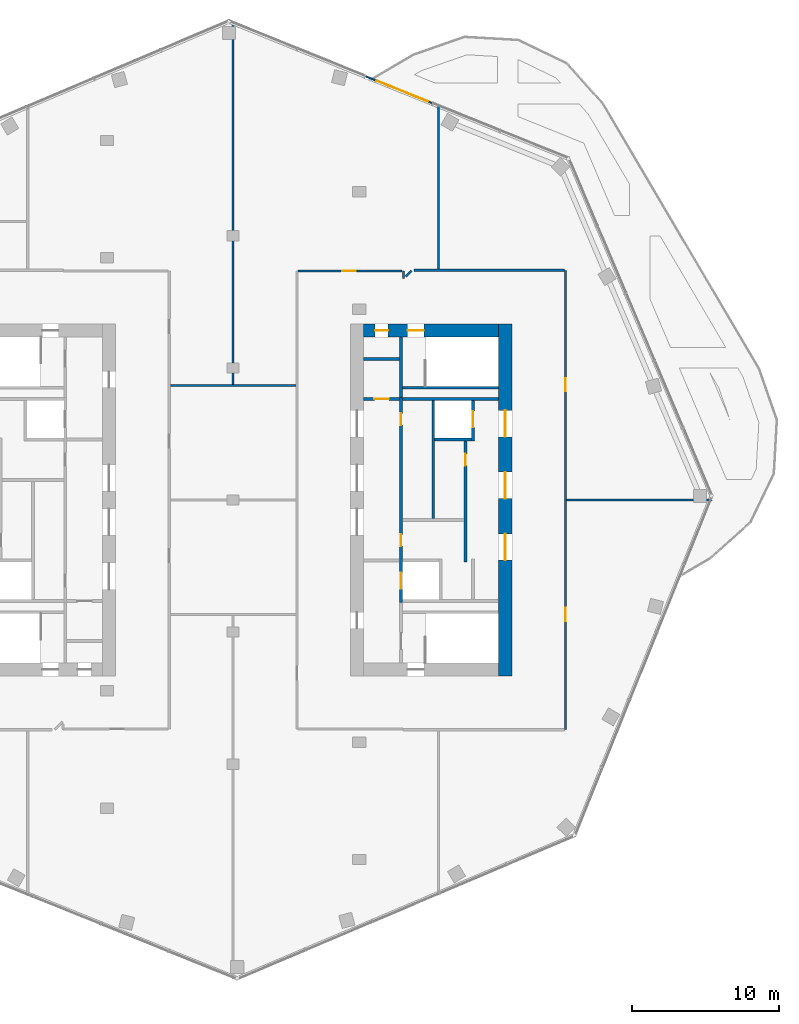
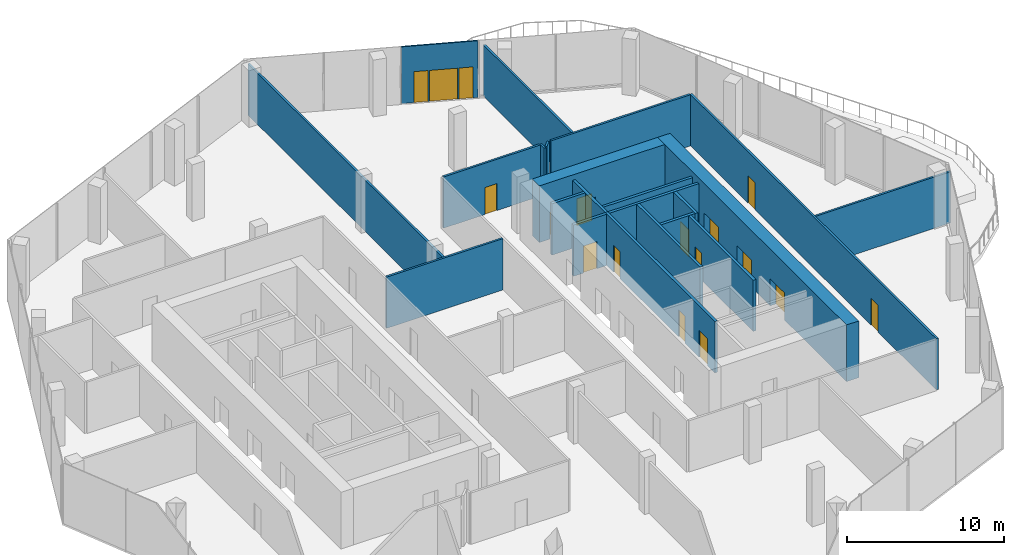
# One storey, part 14 of 15: 22 walls, 15 doors, 2 windows, 17 openings.
"""IFC4 building model written with IfcOpenShell, lengths in metres."""

from ifc_helpers import new_model, si_unit, direction, frame, frame_2d, origin, place, context, subcontext, project, spatial, rectangle, extrude, material, layer, layer_set, type_object, element, fill, save


model = new_model("IFC4")

# Units and contexts
model_context = context("Model", 3, precision=1e-05, world=origin(), true_north=direction((0.0, 1.0)))
body_context = subcontext(model_context, "Body", "Model", "MODEL_VIEW")
ifc_project = project(units=[si_unit("LENGTHUNIT", "METRE"), si_unit("AREAUNIT", "SQUARE_METRE"), si_unit("VOLUMEUNIT", "CUBIC_METRE"), si_unit("PLANEANGLEUNIT", "RADIAN"), si_unit("MASSUNIT", "GRAM", prefix="KILO")], contexts=[model_context])

# Site, building, storey
site_placement = place(None, origin())
site = spatial("IfcSite", under=ifc_project, at=site_placement, CompositionType="ELEMENT")
building_placement = place(site_placement, origin())
building = spatial("IfcBuilding", under=site, at=building_placement, Name="Orlundy Tower", CompositionType="ELEMENT")
storey_placement = place(building_placement, frame((0.0, 0.0, 299.89990234375)))
storey = spatial("IfcBuildingStorey", under=building, at=storey_placement, Name="L80", CompositionType="ELEMENT", Elevation=299.89990234375)

# Wall, openings, doors
ifc_material_1 = material(Name="Concrete C50/60", Category="concrete")
ifc_layer_1 = layer(ifc_material_1, 0.89990234375)
ifc_layer_set_1 = layer_set([ifc_layer_1], Name="CORE WALL 900 C50/60")
wall_type_1 = type_object("IfcWallType", Name="CORE WALL 900 C50/60", PredefinedType="SHEAR", material=ifc_layer_set_1)
wall_1_placement = place(storey_placement, frame((8.89990234375, 11.550048828125, 0.0), z_axis=(0.0, 0.0, 1.0), x_axis=(1.0, 0.0, 0.0)))
wall_1 = element("IfcWall", 1, at=wall_1_placement, inside=storey, type_object=wall_type_1, Name="Core wall E-N L80", PredefinedType="SHEAR", context=body_context, shape_type="SweptSolid", body=[
    extrude(rectangle(XDim=9.2001953125, YDim=0.89990234375, at=frame_2d((4.60009765625, 0.0))), origin(), (0.0, 0.0, 1.0), 4.400146484375),
])
opening_1_placement = place(wall_1_placement, frame((3.0, 0.0, 0.0)))
opening_1 = element("IfcOpeningElement", 2, at=opening_1_placement, cuts=wall_1, Name="Opening 62063", PredefinedType="OPENING", context=body_context, shape_type="SweptSolid", body=[
    extrude(rectangle(XDim=1.10009765625, YDim=2.10009765625, at=frame_2d((0.550048828125, 1.050048828125))), frame((0.0, 0.4599609375, 0.0), z_axis=(0.0, -1.0, 0.0), x_axis=(1.0, 0.0, 0.0)), (0.0, 0.0, 1.0), 0.919921875),
])
opening_2_placement = place(wall_1_placement, frame((0.77001953125, 0.0, 0.0)))
opening_2 = element("IfcOpeningElement", 3, at=opening_2_placement, cuts=wall_1, Name="Opening 62065", PredefinedType="OPENING", context=body_context, shape_type="SweptSolid", body=[
    extrude(rectangle(XDim=0.89990234375, YDim=2.10009765625, at=frame_2d((0.449951171875, 1.050048828125))), frame((0.0, 0.4599609375, 0.0), z_axis=(0.0, -1.0, 0.0), x_axis=(1.0, 0.0, 0.0)), (0.0, 0.0, 1.0), 0.919921875),
])
ifc_material_2 = material(Name="Timber door set", Category="wood")
door_type_1 = type_object("IfcDoorType", Name="Room Door 900x2100", OperationType="SINGLE_SWING_LEFT", PredefinedType="DOOR", material=ifc_material_2)
door_1_placement = place(opening_2_placement, origin())
door_1 = element("IfcDoor", 4, at=door_1_placement, inside=storey, type_object=door_type_1, Name="Store door 62065", OperationType="SINGLE_SWING_LEFT", OverallHeight=2.10009765625, OverallWidth=0.89990234375, PredefinedType="DOOR", context=body_context, shape_type="SweptSolid", body=[
    extrude(rectangle(XDim=0.89990234375, YDim=2.10009765625, at=frame_2d((0.449951171875, 1.050048828125))), frame((0.0, 0.02490234375, 0.0), z_axis=(0.0, -1.0, 0.0), x_axis=(1.0, 0.0, 0.0)), (0.0, 0.0, 1.0), 0.050048828125),
])
fill(opening_2, door_1)
ifc_material_3 = material(Name="Steel door set", Category="steel")
door_type_2 = type_object("IfcDoorType", Name="Stair Door 1100x2100", OperationType="SINGLE_SWING_LEFT", PredefinedType="DOOR", material=ifc_material_3)
door_2_placement = place(opening_1_placement, origin())
door_2 = element("IfcDoor", 5, at=door_2_placement, inside=storey, type_object=door_type_2, Name="Stair door 62063", OperationType="SINGLE_SWING_LEFT", OverallHeight=2.10009765625, OverallWidth=1.10009765625, PredefinedType="DOOR", context=body_context, shape_type="SweptSolid", body=[
    extrude(rectangle(XDim=1.10009765625, YDim=2.10009765625, at=frame_2d((0.550048828125, 1.050048828125))), frame((0.0, 0.02490234375, 0.0), z_axis=(0.0, -1.0, 0.0), x_axis=(1.0, 0.0, 0.0)), (0.0, 0.0, 1.0), 0.050048828125),
])
fill(opening_1, door_2)

wall_2_placement = place(storey_placement, frame((18.550048828125, -12.0, 0.0), z_axis=(0.0, 0.0, 1.0), x_axis=(0.0, 1.0, 0.0)))
wall_2 = element("IfcWall", 6, at=wall_2_placement, inside=storey, type_object=wall_type_1, Name="Core wall E-E L80", PredefinedType="SHEAR", context=body_context, shape_type="SweptSolid", body=[
    extrude(rectangle(XDim=24.0, YDim=0.89990234375, at=frame_2d((12.0, 0.0))), origin(), (0.0, 0.0, 1.0), 4.400146484375),
])
opening_3_placement = place(wall_2_placement, frame((16.300048828125, 0.0, 0.0)))
opening_3 = element("IfcOpeningElement", 7, at=opening_3_placement, cuts=wall_2, Name="Opening 62056", PredefinedType="OPENING", context=body_context, shape_type="SweptSolid", body=[
    extrude(rectangle(XDim=1.800048828125, YDim=2.10009765625, at=frame_2d((0.89990234375, 1.050048828125))), frame((0.0, 0.4599609375, 0.0), z_axis=(0.0, -1.0, 0.0), x_axis=(1.0, 0.0, 0.0)), (0.0, 0.0, 1.0), 0.919921875),
])
opening_4_placement = place(wall_2_placement, frame((12.10009765625, 0.0, 0.0)))
opening_4 = element("IfcOpeningElement", 8, at=opening_4_placement, cuts=wall_2, Name="Opening 62057", PredefinedType="OPENING", context=body_context, shape_type="SweptSolid", body=[
    extrude(rectangle(XDim=1.800048828125, YDim=2.10009765625, at=frame_2d((0.89990234375, 1.050048828125))), frame((0.0, 0.4599609375, 0.0), z_axis=(0.0, -1.0, 0.0), x_axis=(1.0, 0.0, 0.0)), (0.0, 0.0, 1.0), 0.919921875),
])
opening_5_placement = place(wall_2_placement, frame((7.89990234375, 0.0, 0.0)))
opening_5 = element("IfcOpeningElement", 9, at=opening_5_placement, cuts=wall_2, Name="Opening 62058", PredefinedType="OPENING", context=body_context, shape_type="SweptSolid", body=[
    extrude(rectangle(XDim=1.800048828125, YDim=2.10009765625, at=frame_2d((0.89990234375, 1.050048828125))), frame((0.0, 0.4599609375, 0.0), z_axis=(0.0, -1.0, 0.0), x_axis=(1.0, 0.0, 0.0)), (0.0, 0.0, 1.0), 0.919921875),
])
ifc_material_4 = material(Name="Timber door set", Category="wood")
door_type_3 = type_object("IfcDoorType", Name="Lobby Door 1800x2100", OperationType="DOUBLE_DOOR_DOUBLE_SWING", PredefinedType="DOOR", material=ifc_material_4)
door_3_placement = place(opening_3_placement, origin())
door_3 = element("IfcDoor", 10, at=door_3_placement, inside=storey, type_object=door_type_3, Name="Lift lobby door 62056", OperationType="SINGLE_SWING_RIGHT", OverallHeight=2.10009765625, OverallWidth=1.800048828125, PredefinedType="DOOR", context=body_context, shape_type="SweptSolid", body=[
    extrude(rectangle(XDim=1.800048828125, YDim=2.10009765625, at=frame_2d((0.89990234375, 1.050048828125))), frame((0.0, 0.02490234375, 0.0), z_axis=(0.0, -1.0, 0.0), x_axis=(1.0, 0.0, 0.0)), (0.0, 0.0, 1.0), 0.050048828125),
])
fill(opening_3, door_3)
door_4_placement = place(opening_4_placement, origin())
door_4 = element("IfcDoor", 11, at=door_4_placement, inside=storey, type_object=door_type_3, Name="Lift lobby door 62057", OperationType="SINGLE_SWING_RIGHT", OverallHeight=2.10009765625, OverallWidth=1.800048828125, PredefinedType="DOOR", context=body_context, shape_type="SweptSolid", body=[
    extrude(rectangle(XDim=1.800048828125, YDim=2.10009765625, at=frame_2d((0.89990234375, 1.050048828125))), frame((0.0, 0.02490234375, 0.0), z_axis=(0.0, -1.0, 0.0), x_axis=(1.0, 0.0, 0.0)), (0.0, 0.0, 1.0), 0.050048828125),
])
fill(opening_4, door_4)
door_5_placement = place(opening_5_placement, origin())
door_5 = element("IfcDoor", 12, at=door_5_placement, inside=storey, type_object=door_type_3, Name="Lift lobby door 62058", OperationType="SINGLE_SWING_LEFT", OverallHeight=2.10009765625, OverallWidth=1.800048828125, PredefinedType="DOOR", context=body_context, shape_type="SweptSolid", body=[
    extrude(rectangle(XDim=1.800048828125, YDim=2.10009765625, at=frame_2d((0.89990234375, 1.050048828125))), frame((0.0, 0.02490234375, 0.0), z_axis=(0.0, -1.0, 0.0), x_axis=(1.0, 0.0, 0.0)), (0.0, 0.0, 1.0), 0.050048828125),
])
fill(opening_5, door_5)

# Walls
ifc_material_5 = material(Name="Blockwork shaft wall", Category="masonry")
ifc_layer_2 = layer(ifc_material_5, 0.14990234375)
ifc_layer_set_2 = layer_set([ifc_layer_2], Name="Floor shaft wall 150")
wall_type_2 = type_object("IfcWallType", Name="Floor shaft wall 150", PredefinedType="PARTITIONING", material=ifc_layer_set_2)
wall_3_placement = place(storey_placement, frame((22.72607421875, 0.0, 0.0), z_axis=(0.0, 0.0, 1.0), x_axis=(1.0, 0.0, 0.0)))
element("IfcWall", 13, at=wall_3_placement, inside=storey, type_object=wall_type_2, Name="wall-int-L80-009", PredefinedType="PARTITIONING", context=body_context, shape_type="SweptSolid", body=[
    extrude(rectangle(XDim=9.90087890625, YDim=0.14990234375, at=frame_2d((4.950439453125, 0.0))), origin(), (0.0, 0.0, 1.0), 3.97998046875),
])
wall_4_placement = place(storey_placement, frame((-4.27392578125, 7.799072265625, 0.0), z_axis=(0.0, 0.0, 1.0), x_axis=(1.0, 0.0, 0.0)))
element("IfcWall", 14, at=wall_4_placement, inside=storey, type_object=wall_type_2, Name="wall-int-L80-011", PredefinedType="PARTITIONING", context=body_context, shape_type="SweptSolid", body=[
    extrude(rectangle(XDim=8.548828125, YDim=0.14990234375, at=frame_2d((4.2744140625, 0.0))), origin(), (0.0, 0.0, 1.0), 3.97998046875),
])

# Wall, opening, door
wall_5_placement = place(storey_placement, frame((4.425048828125, 15.60107421875, 0.0), z_axis=(0.0, 0.0, 1.0), x_axis=(1.0, 0.0, 0.0)))
wall_5 = element("IfcWall", 15, at=wall_5_placement, inside=storey, type_object=wall_type_2, Name="wall-int-L80-014", PredefinedType="PARTITIONING", context=body_context, shape_type="SweptSolid", body=[
    extrude(rectangle(XDim=7.099853515625, YDim=0.14990234375, at=frame_2d((3.5498046875, 0.0))), origin(), (0.0, 0.0, 1.0), 3.97998046875),
])
opening_6_placement = place(wall_5_placement, frame((3.02490234375, 0.0, 0.0)))
opening_6 = element("IfcOpeningElement", 16, at=opening_6_placement, cuts=wall_5, Name="Opening 62106", PredefinedType="OPENING", context=body_context, shape_type="SweptSolid", body=[
    extrude(rectangle(XDim=0.89990234375, YDim=2.10009765625, at=frame_2d((0.449951171875, 1.050048828125))), frame((0.0, 0.0849609375, 0.0), z_axis=(0.0, -1.0, 0.0), x_axis=(1.0, 0.0, 0.0)), (0.0, 0.0, 1.0), 0.169921875),
])
ifc_material_6 = material(Name="Timber door leaf", Category="wood")
door_type_4 = type_object("IfcDoorType", Name="Floor door single 900 FD60", OperationType="NOTDEFINED", PredefinedType="DOOR", material=ifc_material_6)
door_6_placement = place(opening_6_placement, origin())
door_6 = element("IfcDoor", 17, at=door_6_placement, inside=storey, type_object=door_type_4, Name="Door 62106", OperationType="SINGLE_SWING_LEFT", OverallHeight=2.10009765625, OverallWidth=0.89990234375, PredefinedType="DOOR", context=body_context, shape_type="SweptSolid", body=[
    extrude(rectangle(XDim=0.89990234375, YDim=2.10009765625, at=frame_2d((0.449951171875, 1.050048828125))), frame((0.0, 0.02490234375, 0.0), z_axis=(0.0, -1.0, 0.0), x_axis=(1.0, 0.0, 0.0)), (0.0, 0.0, 1.0), 0.050048828125),
])
fill(opening_6, door_6)

# Walls
wall_6_placement = place(storey_placement, frame((12.341064453125, 15.65087890625, 0.0), z_axis=(0.0, 0.0, 1.0), x_axis=(1.0, 0.0, 0.0)))
element("IfcWall", 18, at=wall_6_placement, inside=storey, type_object=wall_type_2, Name="wall-int-L80-016", PredefinedType="PARTITIONING", context=body_context, shape_type="SweptSolid", body=[
    extrude(rectangle(XDim=10.23388671875, YDim=0.14990234375, at=frame_2d((5.116943359375, 0.0))), origin(), (0.0, 0.0, 1.0), 3.97998046875),
])
wall_7_placement = place(storey_placement, frame((11.75, 15.22802734375, 0.0), z_axis=(0.0, 0.0, 1.0), x_axis=(0.707106781187, 0.707106781187, 0.0)))
element("IfcWall", 19, at=wall_7_placement, inside=storey, type_object=wall_type_2, Name="wall-int-L80-019", PredefinedType="PARTITIONING", context=body_context, shape_type="SweptSolid", body=[
    extrude(rectangle(XDim=0.570068359375, YDim=0.14990234375, at=frame_2d((0.28515625, 0.0))), origin(), (0.0, 0.0, 1.0), 3.97998046875),
])

# Wall, openings, doors
wall_8_placement = place(storey_placement, frame((22.65087890625, 15.64990234375, 0.0), z_axis=(0.0, 0.0, 1.0), x_axis=(0.0, -1.0, 0.0)))
wall_8 = element("IfcWall", 20, at=wall_8_placement, inside=storey, type_object=wall_type_2, Name="wall-int-L80-020", PredefinedType="PARTITIONING", context=body_context, shape_type="SweptSolid", body=[
    extrude(rectangle(XDim=31.2998046875, YDim=0.14990234375, at=frame_2d((15.64990234375, 0.0))), origin(), (0.0, 0.0, 1.0), 3.97998046875),
])
opening_7_placement = place(wall_8_placement, frame((23.0, 0.0, 0.0)))
opening_7 = element("IfcOpeningElement", 21, at=opening_7_placement, cuts=wall_8, Name="Opening 62104", PredefinedType="OPENING", context=body_context, shape_type="SweptSolid", body=[
    extrude(rectangle(XDim=0.89990234375, YDim=2.10009765625, at=frame_2d((0.449951171875, 1.050048828125))), frame((0.0, 0.0849609375, 0.0), z_axis=(0.0, -1.0, 0.0), x_axis=(1.0, 0.0, 0.0)), (0.0, 0.0, 1.0), 0.169921875),
])
opening_8_placement = place(wall_8_placement, frame((7.35009765625, 0.0, 0.0)))
opening_8 = element("IfcOpeningElement", 22, at=opening_8_placement, cuts=wall_8, Name="Opening 62105", PredefinedType="OPENING", context=body_context, shape_type="SweptSolid", body=[
    extrude(rectangle(XDim=0.89990234375, YDim=2.10009765625, at=frame_2d((0.449951171875, 1.050048828125))), frame((0.0, 0.0849609375, 0.0), z_axis=(0.0, -1.0, 0.0), x_axis=(1.0, 0.0, 0.0)), (0.0, 0.0, 1.0), 0.169921875),
])
door_7_placement = place(opening_7_placement, origin())
door_7 = element("IfcDoor", 23, at=door_7_placement, inside=storey, type_object=door_type_4, Name="Door 62104", OperationType="SINGLE_SWING_RIGHT", OverallHeight=2.10009765625, OverallWidth=0.89990234375, PredefinedType="DOOR", context=body_context, shape_type="SweptSolid", body=[
    extrude(rectangle(XDim=0.89990234375, YDim=2.10009765625, at=frame_2d((0.449951171875, 1.050048828125))), frame((0.0, 0.02490234375, 0.0), z_axis=(0.0, -1.0, 0.0), x_axis=(1.0, 0.0, 0.0)), (0.0, 0.0, 1.0), 0.050048828125),
])
fill(opening_7, door_7)
door_8_placement = place(opening_8_placement, origin())
door_8 = element("IfcDoor", 24, at=door_8_placement, inside=storey, type_object=door_type_4, Name="Door 62105", OperationType="SINGLE_SWING_LEFT", OverallHeight=2.10009765625, OverallWidth=0.89990234375, PredefinedType="DOOR", context=body_context, shape_type="SweptSolid", body=[
    extrude(rectangle(XDim=0.89990234375, YDim=2.10009765625, at=frame_2d((0.449951171875, 1.050048828125))), frame((0.0, 0.02490234375, 0.0), z_axis=(0.0, -1.0, 0.0), x_axis=(1.0, 0.0, 0.0)), (0.0, 0.0, 1.0), 0.050048828125),
])
fill(opening_8, door_8)

# Walls
wall_9_placement = place(storey_placement, frame((14.0, 15.72607421875, 0.0), z_axis=(0.0, 0.0, 1.0), x_axis=(0.0, 1.0, 0.0)))
element("IfcWall", 25, at=wall_9_placement, inside=storey, type_object=wall_type_2, Name="wall-int-L80-022", PredefinedType="PARTITIONING", context=body_context, shape_type="SweptSolid", body=[
    extrude(rectangle(XDim=11.243896484375, YDim=0.14990234375, at=frame_2d((5.6220703125, 0.0))), origin(), (0.0, 0.0, 1.0), 3.97998046875),
])
wall_10_placement = place(storey_placement, frame((11.60107421875, 15.092041015625, 0.0), z_axis=(0.0, 0.0, 1.0), x_axis=(0.0, 1.0, 0.0)))
element("IfcWall", 26, at=wall_10_placement, inside=storey, type_object=wall_type_2, Name="wall-int-L80-023", PredefinedType="PARTITIONING", context=body_context, shape_type="SweptSolid", body=[
    extrude(rectangle(XDim=0.508056640625, YDim=0.14990234375, at=frame_2d((0.25390625, 0.0))), origin(), (0.0, 0.0, 1.0), 3.97998046875),
])
wall_11_placement = place(storey_placement, frame((0.0, 7.8740234375, 0.0), z_axis=(0.0, 0.0, 1.0), x_axis=(0.0, 1.0, 0.0)))
element("IfcWall", 27, at=wall_11_placement, inside=storey, type_object=wall_type_2, Name="wall-int-L80-026", PredefinedType="PARTITIONING", context=body_context, shape_type="SweptSolid", body=[
    extrude(rectangle(XDim=24.7529296875, YDim=0.14990234375, at=frame_2d((12.37646484375, 0.0))), origin(), (0.0, 0.0, 1.0), 3.97998046875),
])

# Wall, openings, windows, door
ifc_material_7 = material(Name="Aluminium bronze and tinted glass", Category="aluminium")
ifc_layer_3 = layer(ifc_material_7, 0.10009765625)
ifc_layer_set_3 = layer_set([ifc_layer_3], Name="Glazed door screen")
wall_type_3 = type_object("IfcWallType", Name="Glazed door screen", PredefinedType="STANDARD", material=ifc_layer_set_3)
wall_12_placement = place(storey_placement, frame((9.018310546875, 28.874755859375, 0.0), z_axis=(0.0, 0.0, 1.0), x_axis=(0.927195684574, -0.37457731179, 0.0)))
wall_12 = element("IfcWall", 28, at=wall_12_placement, inside=storey, type_object=wall_type_3, Name="Glazed door screen", PredefinedType="STANDARD", context=body_context, shape_type="SweptSolid", body=[
    extrude(rectangle(XDim=4.910400390625, YDim=0.10009765625, at=frame_2d((2.455078125, 0.0))), origin(), (0.0, 0.0, 1.0), 4.400146484375),
])
opening_9_placement = place(wall_12_placement, frame((1.80078125, 0.0, 0.0)))
opening_9 = element("IfcOpeningElement", 29, at=opening_9_placement, cuts=wall_12, Name="Opening 62940", PredefinedType="OPENING", context=body_context, shape_type="SweptSolid", body=[
    extrude(rectangle(XDim=1.800048828125, YDim=2.39990234375, at=frame_2d((0.89990234375, 1.199951171875))), frame((0.0, 0.06005859375, 0.0), z_axis=(0.0, -1.0, 0.0), x_axis=(1.0, 0.0, 0.0)), (0.0, 0.0, 1.0), 0.1201171875),
])
opening_10_placement = place(wall_12_placement, frame((0.80078125, 0.0, 0.0)))
opening_10 = element("IfcOpeningElement", 30, at=opening_10_placement, cuts=wall_12, Name="Opening W02", PredefinedType="OPENING", context=body_context, shape_type="SweptSolid", body=[
    extrude(rectangle(XDim=0.89990234375, YDim=2.39990234375, at=frame_2d((0.449951171875, 1.199951171875))), frame((0.0, 0.06005859375, 0.0), z_axis=(0.0, -1.0, 0.0), x_axis=(1.0, 0.0, 0.0)), (0.0, 0.0, 1.0), 0.1201171875),
])
opening_11_placement = place(wall_12_placement, frame((3.70068359375, 0.0, 0.0)))
opening_11 = element("IfcOpeningElement", 31, at=opening_11_placement, cuts=wall_12, Name="Opening W02", PredefinedType="OPENING", context=body_context, shape_type="SweptSolid", body=[
    extrude(rectangle(XDim=0.89990234375, YDim=2.39990234375, at=frame_2d((0.449951171875, 1.199951171875))), frame((0.0, 0.06005859375, 0.0), z_axis=(0.0, -1.0, 0.0), x_axis=(1.0, 0.0, 0.0)), (0.0, 0.0, 1.0), 0.1201171875),
])
ifc_material_8 = material(Name="Tinted glass in bronze aluminium frame", Category="aluminium")
window_type = type_object("IfcWindowType", Name="SL2 sidelight 900x2400", PartitioningType="SINGLE_PANEL", PredefinedType="WINDOW", material=ifc_material_8)
window_1_placement = place(opening_10_placement, origin())
window_1 = element("IfcWindow", 32, at=window_1_placement, inside=storey, type_object=window_type, Name="Window W02 L80", OverallHeight=2.39990234375, OverallWidth=0.89990234375, PartitioningType="SINGLE_PANEL", PredefinedType="WINDOW", context=body_context, shape_type="SweptSolid", body=[
    extrude(rectangle(XDim=0.89990234375, YDim=2.39990234375, at=frame_2d((0.449951171875, 1.199951171875))), frame((0.0, 0.030029296875, 0.0), z_axis=(0.0, -1.0, 0.0), x_axis=(1.0, 0.0, 0.0)), (0.0, 0.0, 1.0), 0.06005859375),
])
fill(opening_10, window_1)
window_2_placement = place(opening_11_placement, origin())
window_2 = element("IfcWindow", 33, at=window_2_placement, inside=storey, type_object=window_type, Name="Window W02 L80", OverallHeight=2.39990234375, OverallWidth=0.89990234375, PartitioningType="SINGLE_PANEL", PredefinedType="WINDOW", context=body_context, shape_type="SweptSolid", body=[
    extrude(rectangle(XDim=0.89990234375, YDim=2.39990234375, at=frame_2d((0.449951171875, 1.199951171875))), frame((0.0, 0.030029296875, 0.0), z_axis=(0.0, -1.0, 0.0), x_axis=(1.0, 0.0, 0.0)), (0.0, 0.0, 1.0), 0.06005859375),
])
fill(opening_11, window_2)
ifc_material_9 = material(Name="Aluminium bronze and tinted glass", Category="aluminium")
door_type_5 = type_object("IfcDoorType", Name="TD3 terrace sliding door 1800x2400", OperationType="DOUBLE_DOOR_SLIDING", PredefinedType="DOOR", material=ifc_material_9)
door_9_placement = place(opening_9_placement, origin())
door_9 = element("IfcDoor", 34, at=door_9_placement, inside=storey, type_object=door_type_5, Name="Door 62940", OperationType="DOUBLE_DOOR_SLIDING", OverallHeight=2.39990234375, OverallWidth=1.800048828125, PredefinedType="DOOR", context=body_context, shape_type="SweptSolid", body=[
    extrude(rectangle(XDim=1.800048828125, YDim=2.39990234375, at=frame_2d((0.89990234375, 1.199951171875))), frame((0.0, 0.02490234375, 0.0), z_axis=(0.0, -1.0, 0.0), x_axis=(1.0, 0.0, 0.0)), (0.0, 0.0, 1.0), 0.050048828125),
])
fill(opening_9, door_9)

# Walls
ifc_material_10 = material(Name="Concrete C40/50", Category="concrete")
ifc_layer_4 = layer(ifc_material_10, 0.199951171875)
ifc_layer_set_4 = layer_set([ifc_layer_4], Name="Load-bearing Shaft Wall 200")
wall_type_4 = type_object("IfcWallType", Name="Load-bearing Shaft Wall 200", PredefinedType="SOLIDWALL", material=ifc_layer_set_4)
wall_13_placement = place(storey_placement, frame((11.43994140625, 11.10009765625, 0.0), z_axis=(0.0, 0.0, 1.0), x_axis=(0.0, -1.0, 0.0)))
element("IfcWall", 35, at=wall_13_placement, inside=storey, type_object=wall_type_4, Name="Shaft wall E62-stair-end-s", PredefinedType="SOLIDWALL", context=body_context, shape_type="SweptSolid", body=[
    extrude(rectangle(XDim=4.125, YDim=0.199951171875, at=frame_2d((2.0625, 0.0))), origin(), (0.0, 0.0, 1.0), 3.97998046875),
])
wall_14_placement = place(storey_placement, frame((11.5400390625, 7.64990234375, 0.0), z_axis=(0.0, 0.0, 1.0), x_axis=(1.0, 0.0, 0.0)))
element("IfcWall", 36, at=wall_14_placement, inside=storey, type_object=wall_type_4, Name="Shaft wall E62-stair-side-s", PredefinedType="SOLIDWALL", context=body_context, shape_type="SweptSolid", body=[
    extrude(rectangle(XDim=6.56005859375, YDim=0.199951171875, at=frame_2d((3.280029296875, 0.0))), origin(), (0.0, 0.0, 1.0), 3.97998046875),
])

# Wall, opening, door
ifc_material_11 = material(Name="Gypsum board partition on steel studs", Category="steel")
ifc_layer_5 = layer(ifc_material_11, 0.199951171875)
ifc_layer_set_5 = layer_set([ifc_layer_5], Name="Partition 200")
wall_type_5 = type_object("IfcWallType", Name="Partition 200", PredefinedType="PARTITIONING", material=ifc_layer_set_5)
wall_15_placement = place(storey_placement, frame((8.89990234375, 6.875, 0.0), z_axis=(0.0, 0.0, 1.0), x_axis=(1.0, 0.0, 0.0)))
wall_15 = element("IfcWall", 37, at=wall_15_placement, inside=storey, type_object=wall_type_5, Name="Partition wall E62-end-s", PredefinedType="PARTITIONING", context=body_context, shape_type="SweptSolid", body=[
    extrude(rectangle(XDim=2.440185546875, YDim=0.199951171875, at=frame_2d((1.22021484375, 0.0))), origin(), (0.0, 0.0, 1.0), 3.97998046875),
])
opening_12_placement = place(wall_15_placement, frame((0.719970703125, 0.0, 0.0)))
opening_12 = element("IfcOpeningElement", 38, at=opening_12_placement, cuts=wall_15, Name="Opening 62066", PredefinedType="OPENING", context=body_context, shape_type="SweptSolid", body=[
    extrude(rectangle(XDim=1.0, YDim=2.10009765625, at=frame_2d((0.5, 1.050048828125))), frame((0.0, 0.110107421875, 0.0), z_axis=(0.0, -1.0, 0.0), x_axis=(1.0, 0.0, 0.0)), (0.0, 0.0, 1.0), 0.22021484375),
])
ifc_material_12 = material(Name="Timber door set", Category="wood")
door_type_6 = type_object("IfcDoorType", Name="Accessible Door 1000x2100", OperationType="SINGLE_SWING_LEFT", PredefinedType="DOOR", material=ifc_material_12)
door_10_placement = place(opening_12_placement, origin())
door_10 = element("IfcDoor", 39, at=door_10_placement, inside=storey, type_object=door_type_6, Name="Accessible WC door 62066", OperationType="SINGLE_SWING_RIGHT", OverallHeight=2.10009765625, OverallWidth=1.0, PredefinedType="DOOR", context=body_context, shape_type="SweptSolid", body=[
    extrude(rectangle(XDim=1.0, YDim=2.10009765625, at=frame_2d((0.5, 1.050048828125))), frame((0.0, 0.02490234375, 0.0), z_axis=(0.0, -1.0, 0.0), x_axis=(1.0, 0.0, 0.0)), (0.0, 0.0, 1.0), 0.050048828125),
])
fill(opening_12, door_10)

# Walls
wall_16_placement = place(storey_placement, frame((8.89990234375, 9.60009765625, 0.0), z_axis=(0.0, 0.0, 1.0), x_axis=(1.0, 0.0, 0.0)))
element("IfcWall", 40, at=wall_16_placement, inside=storey, type_object=wall_type_5, Name="Partition wall E62-room-s0", PredefinedType="PARTITIONING", context=body_context, shape_type="SweptSolid", body=[
    extrude(rectangle(XDim=2.440185546875, YDim=0.199951171875, at=frame_2d((1.22021484375, 0.0))), origin(), (0.0, 0.0, 1.0), 3.97998046875),
])
ifc_material_13 = material(Name="Fire-rated blockwork shaft wall", Category="masonry")
ifc_layer_6 = layer(ifc_material_13, 0.199951171875)
ifc_layer_set_6 = layer_set([ifc_layer_6], Name="Shaft Wall 200")
wall_type_6 = type_object("IfcWallType", Name="Shaft Wall 200", PredefinedType="SOLIDWALL", material=ifc_layer_set_6)
wall_17_placement = place(storey_placement, frame((11.5400390625, 6.875, 0.0), z_axis=(0.0, 0.0, 1.0), x_axis=(1.0, 0.0, 0.0)))
element("IfcWall", 41, at=wall_17_placement, inside=storey, type_object=wall_type_6, Name="Shaft wall E62-zone-s", PredefinedType="SOLIDWALL", context=body_context, shape_type="SweptSolid", body=[
    extrude(rectangle(XDim=6.56005859375, YDim=0.199951171875, at=frame_2d((3.280029296875, 0.0))), origin(), (0.0, 0.0, 1.0), 3.97998046875),
])
wall_18_placement = place(storey_placement, frame((13.739990234375, 4.125, 0.0), z_axis=(0.0, 0.0, 1.0), x_axis=(1.0, 0.0, 0.0)))
element("IfcWall", 42, at=wall_18_placement, inside=storey, type_object=wall_type_6, Name="Shaft wall E62-cross-4.125", PredefinedType="SOLIDWALL", context=body_context, shape_type="SweptSolid", body=[
    extrude(rectangle(XDim=2.5, YDim=0.199951171875, at=frame_2d((1.25, 0.0))), origin(), (0.0, 0.0, 1.0), 3.97998046875),
])

# Wall, openings, doors
wall_19_placement = place(storey_placement, frame((11.43994140625, 6.97509765625, 0.0), z_axis=(0.0, 0.0, 1.0), x_axis=(0.0, -1.0, 0.0)))
wall_19 = element("IfcWall", 43, at=wall_19_placement, inside=storey, type_object=wall_type_6, Name="Shaft wall E62-front-h", PredefinedType="SOLIDWALL", context=body_context, shape_type="SweptSolid", body=[
    extrude(rectangle(XDim=13.9501953125, YDim=0.199951171875, at=frame_2d((6.97509765625, 0.0))), origin(), (0.0, 0.0, 1.0), 3.97998046875),
])
opening_13_placement = place(wall_19_placement, frame((11.925048828125, 0.0, 0.0)))
opening_13 = element("IfcOpeningElement", 44, at=opening_13_placement, cuts=wall_19, Name="Opening 62051", PredefinedType="OPENING", context=body_context, shape_type="SweptSolid", body=[
    extrude(rectangle(XDim=1.10009765625, YDim=2.10009765625, at=frame_2d((0.550048828125, 1.050048828125))), frame((0.0, 0.110107421875, 0.0), z_axis=(0.0, -1.0, 0.0), x_axis=(1.0, 0.0, 0.0)), (0.0, 0.0, 1.0), 0.22021484375),
])
opening_14_placement = place(wall_19_placement, frame((1.074951171875, 0.0, 0.0)))
opening_14 = element("IfcOpeningElement", 45, at=opening_14_placement, cuts=wall_19, Name="Opening 62052", PredefinedType="OPENING", context=body_context, shape_type="SweptSolid", body=[
    extrude(rectangle(XDim=0.800048828125, YDim=2.10009765625, at=frame_2d((0.39990234375, 1.050048828125))), frame((0.0, 0.110107421875, 0.0), z_axis=(0.0, -1.0, 0.0), x_axis=(1.0, 0.0, 0.0)), (0.0, 0.0, 1.0), 0.22021484375),
])
opening_15_placement = place(wall_19_placement, frame((9.324951171875, 0.0, 0.0)))
opening_15 = element("IfcOpeningElement", 46, at=opening_15_placement, cuts=wall_19, Name="Opening 62054", PredefinedType="OPENING", context=body_context, shape_type="SweptSolid", body=[
    extrude(rectangle(XDim=0.800048828125, YDim=2.10009765625, at=frame_2d((0.39990234375, 1.050048828125))), frame((0.0, 0.110107421875, 0.0), z_axis=(0.0, -1.0, 0.0), x_axis=(1.0, 0.0, 0.0)), (0.0, 0.0, 1.0), 0.22021484375),
])
ifc_material_14 = material(Name="Steel door set", Category="steel")
door_type_7 = type_object("IfcDoorType", Name="Landing Door 1100x2100", OperationType="DOUBLE_DOOR_SLIDING", PredefinedType="DOOR", material=ifc_material_14)
door_11_placement = place(opening_13_placement, origin())
door_11 = element("IfcDoor", 47, at=door_11_placement, inside=storey, type_object=door_type_7, Name="Lift landing door FL2 62051", OperationType="DOUBLE_DOOR_SLIDING", OverallHeight=2.10009765625, OverallWidth=1.10009765625, PredefinedType="DOOR", context=body_context, shape_type="SweptSolid", body=[
    extrude(rectangle(XDim=1.10009765625, YDim=2.10009765625, at=frame_2d((0.550048828125, 1.050048828125))), frame((0.0, 0.02490234375, 0.0), z_axis=(0.0, -1.0, 0.0), x_axis=(1.0, 0.0, 0.0)), (0.0, 0.0, 1.0), 0.050048828125),
])
fill(opening_13, door_11)
ifc_material_15 = material(Name="Timber door set", Category="wood")
door_type_8 = type_object("IfcDoorType", Name="Riser Door 800x2100", OperationType="SINGLE_SWING_LEFT", PredefinedType="DOOR", material=ifc_material_15)
door_12_placement = place(opening_14_placement, origin())
door_12 = element("IfcDoor", 48, at=door_12_placement, inside=storey, type_object=door_type_8, Name="Telecom Room door 62052", OperationType="SINGLE_SWING_LEFT", OverallHeight=2.10009765625, OverallWidth=0.800048828125, PredefinedType="DOOR", context=body_context, shape_type="SweptSolid", body=[
    extrude(rectangle(XDim=0.800048828125, YDim=2.10009765625, at=frame_2d((0.39990234375, 1.050048828125))), frame((0.0, 0.02490234375, 0.0), z_axis=(0.0, -1.0, 0.0), x_axis=(1.0, 0.0, 0.0)), (0.0, 0.0, 1.0), 0.050048828125),
])
fill(opening_14, door_12)
door_13_placement = place(opening_15_placement, origin())
door_13 = element("IfcDoor", 49, at=door_13_placement, inside=storey, type_object=door_type_8, Name="Cleaner's Store door 62054", OperationType="SINGLE_SWING_LEFT", OverallHeight=2.10009765625, OverallWidth=0.800048828125, PredefinedType="DOOR", context=body_context, shape_type="SweptSolid", body=[
    extrude(rectangle(XDim=0.800048828125, YDim=2.10009765625, at=frame_2d((0.39990234375, 1.050048828125))), frame((0.0, 0.02490234375, 0.0), z_axis=(0.0, -1.0, 0.0), x_axis=(1.0, 0.0, 0.0)), (0.0, 0.0, 1.0), 0.050048828125),
])
fill(opening_15, door_13)

# Wall
wall_20_placement = place(storey_placement, frame((13.639892578125, 6.77490234375, 0.0), z_axis=(0.0, 0.0, 1.0), x_axis=(0.0, -1.0, 0.0)))
element("IfcWall", 50, at=wall_20_placement, inside=storey, type_object=wall_type_6, Name="Shaft wall E62-mid-a", PredefinedType="SOLIDWALL", context=body_context, shape_type="SweptSolid", body=[
    extrude(rectangle(XDim=8.0498046875, YDim=0.199951171875, at=frame_2d((4.02490234375, 0.0))), origin(), (0.0, 0.0, 1.0), 3.97998046875),
])

# Wall, opening, door
wall_21_placement = place(storey_placement, frame((16.340087890625, 6.77490234375, 0.0), z_axis=(0.0, 0.0, 1.0), x_axis=(0.0, -1.0, 0.0)))
wall_21 = element("IfcWall", 51, at=wall_21_placement, inside=storey, type_object=wall_type_6, Name="Shaft wall E62-front-o-a", PredefinedType="SOLIDWALL", context=body_context, shape_type="SweptSolid", body=[
    extrude(rectangle(XDim=2.75, YDim=0.199951171875, at=frame_2d((1.375, 0.0))), origin(), (0.0, 0.0, 1.0), 3.97998046875),
])
opening_16_placement = place(wall_21_placement, frame((0.72509765625, 0.0, 0.0)))
opening_16 = element("IfcOpeningElement", 52, at=opening_16_placement, cuts=wall_21, Name="Opening 62050", PredefinedType="OPENING", context=body_context, shape_type="SweptSolid", body=[
    extrude(rectangle(XDim=1.10009765625, YDim=2.10009765625, at=frame_2d((0.550048828125, 1.050048828125))), frame((0.0, 0.110107421875, 0.0), z_axis=(0.0, -1.0, 0.0), x_axis=(1.0, 0.0, 0.0)), (0.0, 0.0, 1.0), 0.22021484375),
])
door_14_placement = place(opening_16_placement, origin())
door_14 = element("IfcDoor", 53, at=door_14_placement, inside=storey, type_object=door_type_7, Name="Lift landing door LV-02 62050", OperationType="DOUBLE_DOOR_SLIDING", OverallHeight=2.10009765625, OverallWidth=1.10009765625, PredefinedType="DOOR", context=body_context, shape_type="SweptSolid", body=[
    extrude(rectangle(XDim=1.10009765625, YDim=2.10009765625, at=frame_2d((0.550048828125, 1.050048828125))), frame((0.0, 0.02490234375, 0.0), z_axis=(0.0, -1.0, 0.0), x_axis=(1.0, 0.0, 0.0)), (0.0, 0.0, 1.0), 0.050048828125),
])
fill(opening_16, door_14)

wall_22_placement = place(storey_placement, frame((15.840087890625, 4.02490234375, 0.0), z_axis=(0.0, 0.0, 1.0), x_axis=(0.0, -1.0, 0.0)))
wall_22 = element("IfcWall", 54, at=wall_22_placement, inside=storey, type_object=wall_type_6, Name="Shaft wall E62-front-o-b", PredefinedType="SOLIDWALL", context=body_context, shape_type="SweptSolid", body=[
    extrude(rectangle(XDim=8.25, YDim=0.199951171875, at=frame_2d((4.125, 0.0))), origin(), (0.0, 0.0, 1.0), 3.97998046875),
])
opening_17_placement = place(wall_22_placement, frame((0.875, 0.0, 0.0)))
opening_17 = element("IfcOpeningElement", 55, at=opening_17_placement, cuts=wall_22, Name="Opening 62053", PredefinedType="OPENING", context=body_context, shape_type="SweptSolid", body=[
    extrude(rectangle(XDim=0.800048828125, YDim=2.10009765625, at=frame_2d((0.39990234375, 1.050048828125))), frame((0.0, 0.110107421875, 0.0), z_axis=(0.0, -1.0, 0.0), x_axis=(1.0, 0.0, 0.0)), (0.0, 0.0, 1.0), 0.22021484375),
])
door_15_placement = place(opening_17_placement, origin())
door_15 = element("IfcDoor", 56, at=door_15_placement, inside=storey, type_object=door_type_8, Name="Refuse Room door 62053", OperationType="SINGLE_SWING_LEFT", OverallHeight=2.10009765625, OverallWidth=0.800048828125, PredefinedType="DOOR", context=body_context, shape_type="SweptSolid", body=[
    extrude(rectangle(XDim=0.800048828125, YDim=2.10009765625, at=frame_2d((0.39990234375, 1.050048828125))), frame((0.0, 0.02490234375, 0.0), z_axis=(0.0, -1.0, 0.0), x_axis=(1.0, 0.0, 0.0)), (0.0, 0.0, 1.0), 0.050048828125),
])
fill(opening_17, door_15)

save(model, "model.ifc")
